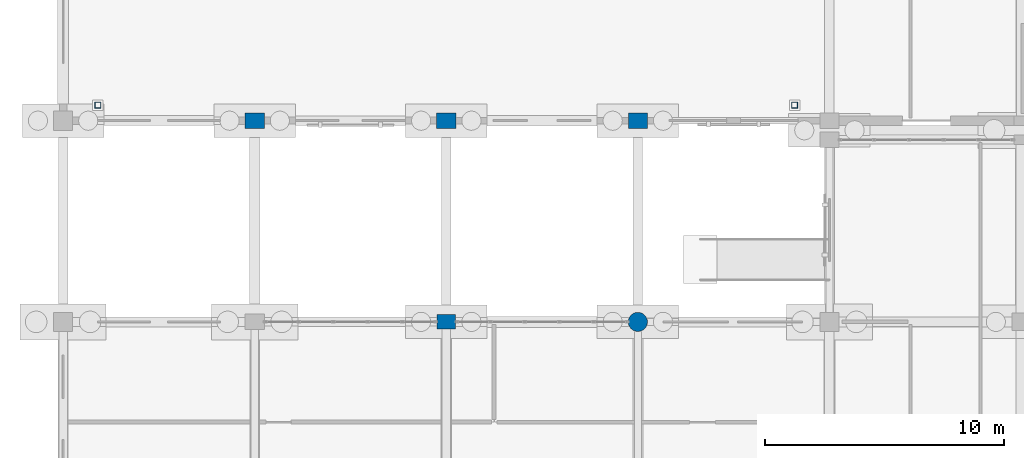
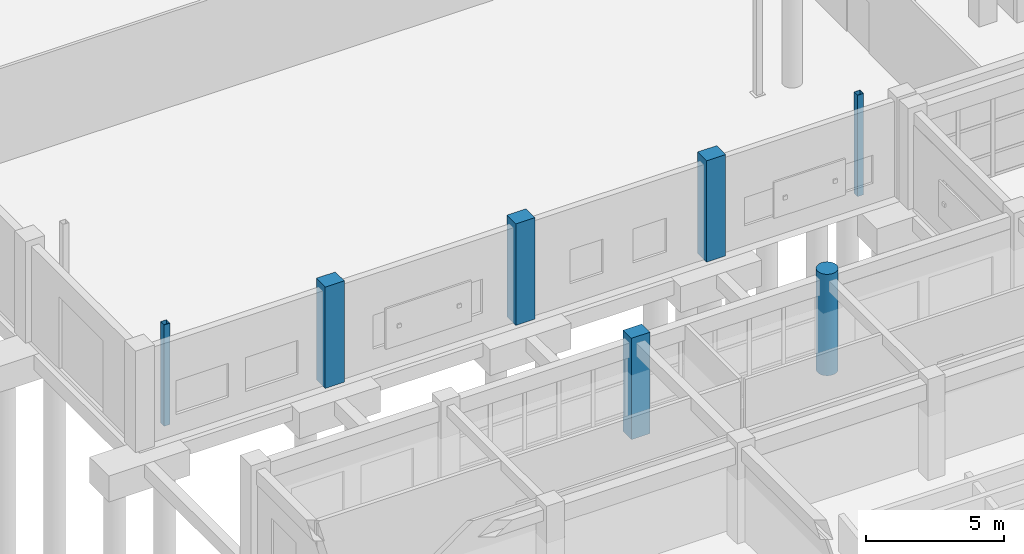
# One storey, part 16 of 166: 7 columns.
"""IFC4 building model written with IfcOpenShell, lengths in metres."""

import ifcopenshell
import ifcopenshell.guid

model = None  # the IFC model being written
_history = None  # IfcOwnerHistory: only IFC2X3 demands one
_inside = {}  # id of a spatial element -> (the spatial element, [elements in it])
_under = {}  # id of a project, library or spatial element -> (it, [spatial elements below it])
_declared = {}  # id of a project -> (the project, [libraries it declares])
_typed = {}  # id of a type object -> (the type object, [elements of that type])
_made_of = {}  # id of a material, layer set ... -> (it, [elements and type objects made of it])


def new_model(schema):
    """Start an empty IFC model of exactly this schema.

    Asked for "IFC4X3", IfcOpenShell would pick the latest addendum, in which some entities
    have other attributes; the version numbers below select the first issue.
    IFC2X3 requires an IfcOwnerHistory on every rooted entity: one is made here for all.
    """
    global model, _history
    if schema == "IFC4X3":
        model = ifcopenshell.file(schema_version=(4, 3, 0, 0))
    else:
        model = ifcopenshell.file(schema=schema)
    _inside.clear()
    _under.clear()
    _declared.clear()
    _typed.clear()
    _made_of.clear()
    _history = None
    if model.schema == "IFC2X3":
        org = make("IfcOrganization", Name="unknown")
        user = make(
            "IfcPersonAndOrganization",
            ThePerson=make("IfcPerson", FamilyName="unknown"),
            TheOrganization=org,
        )
        app = make(
            "IfcApplication",
            ApplicationDeveloper=org,
            Version="unknown",
            ApplicationFullName="unknown",
            ApplicationIdentifier="unknown",
        )
        _history = make(
            "IfcOwnerHistory",
            OwningUser=user,
            OwningApplication=app,
            ChangeAction="ADDED",
            CreationDate=0,
        )
    return model


def make(cls, **values):
    """One entity of the class cls with the attributes given. An attribute that is None is left unset."""
    return model.create_entity(
        cls, **{name: value for name, value in values.items() if value is not None}
    )


def rooted(cls, **values):
    """An entity with a GlobalId (a new one), such as an element, a storey or a relation."""
    return make(cls, GlobalId=ifcopenshell.guid.new(), OwnerHistory=_history, **values)


def si_unit(unit_type, name, prefix=None):
    """IfcSIUnit, for example si_unit("LENGTHUNIT", "METRE", prefix="MILLI")."""
    return make("IfcSIUnit", UnitType=unit_type, Prefix=prefix, Name=name)


def assignment(units):
    """IfcUnitAssignment: the units of a project."""
    return None if units is None else make("IfcUnitAssignment", Units=units)


def point(xyz):
    """IfcCartesianPoint."""
    return None if xyz is None else make("IfcCartesianPoint", Coordinates=xyz)


def direction(xyz):
    """IfcDirection."""
    return None if xyz is None else make("IfcDirection", DirectionRatios=xyz)


def frame(location, z_axis=None, x_axis=None):
    """IfcAxis2Placement3D, a coordinate frame: its origin and axes. An axis left out is left unset."""
    return make(
        "IfcAxis2Placement3D",
        Location=point(location),
        Axis=direction(z_axis),
        RefDirection=direction(x_axis),
    )


def frame_2d(location, x_axis=None):
    """IfcAxis2Placement2D, a coordinate frame in the plane: its origin and x axis."""
    return make(
        "IfcAxis2Placement2D", Location=point(location), RefDirection=direction(x_axis)
    )


def origin():
    """The frame at (0, 0, 0) with its axes left unset."""
    return frame((0.0, 0.0, 0.0))


def origin_2d():
    """The frame at (0, 0) in the plane with its x axis left unset."""
    return frame_2d((0.0, 0.0))


def place(relative_to, where):
    """IfcLocalPlacement: puts the frame where relative to a parent placement (None: the world)."""
    return make(
        "IfcLocalPlacement", PlacementRelTo=relative_to, RelativePlacement=where
    )


def context(
    kind, dimensions, precision=None, world=None, true_north=None, identifier=None
):
    """IfcGeometricRepresentationContext, for example the 3D "Model" context."""
    return make(
        "IfcGeometricRepresentationContext",
        ContextIdentifier=identifier,
        ContextType=kind,
        CoordinateSpaceDimension=dimensions,
        Precision=precision,
        WorldCoordinateSystem=world,
        TrueNorth=true_north,
    )


def subcontext(parent, identifier, kind, view, scale=None):
    """IfcGeometricRepresentationSubContext, for example "Body" below "Model"."""
    return make(
        "IfcGeometricRepresentationSubContext",
        ContextIdentifier=identifier,
        ContextType=kind,
        ParentContext=parent,
        TargetScale=scale,
        TargetView=view,
    )


def project(units=None, contexts=None):
    """IfcProject with its units and contexts."""
    return rooted(
        "IfcProject",
        Name="project",
        RepresentationContexts=contexts,
        UnitsInContext=assignment(units),
    )


def spatial(cls, under=None, at=None, **own):
    """A site, building, storey or space (cls), placed at a placement, below another one or the project."""
    s = rooted(cls, ObjectPlacement=at, **own)
    if under is not None:
        _under.setdefault(under.id(), (under, []))[1].append(s)
    return s


def profile(cls, at=None, kind="AREA", **sizes):
    """A parametric profile (cls). Its sizes go by their IFC names, for example OverallWidth=200.0."""
    return make(cls, ProfileType=kind, Position=at, **sizes)


def rectangle(**sizes):
    """IfcRectangleProfileDef."""
    return profile("IfcRectangleProfileDef", **sizes)


def hollow_rectangle(**sizes):
    """IfcRectangleHollowProfileDef."""
    return profile("IfcRectangleHollowProfileDef", **sizes)


def circle(**sizes):
    """IfcCircleProfileDef."""
    return profile("IfcCircleProfileDef", **sizes)


def extrude(swept, where, along, depth):
    """IfcExtrudedAreaSolid: the profile swept, set in the frame where, extruded along a direction by depth."""
    return make(
        "IfcExtrudedAreaSolid",
        SweptArea=swept,
        Position=where,
        ExtrudedDirection=direction(along),
        Depth=depth,
    )


def shape(context_of_items, identifier, shape_type, items):
    """IfcShapeRepresentation: the items that make up one representation, for example the "Body"."""
    return make(
        "IfcShapeRepresentation",
        ContextOfItems=context_of_items,
        RepresentationIdentifier=identifier,
        RepresentationType=shape_type,
        Items=items,
    )


def material(Name=None, Category=None):
    """IfcMaterial."""
    return make("IfcMaterial", Name=Name, Category=Category)


def material_profile(
    of_material, cross_section, Name=None, Category=None, Priority=None
):
    """IfcMaterialProfile: a cross section and its material."""
    return make(
        "IfcMaterialProfile",
        Name=Name,
        Material=of_material,
        Profile=cross_section,
        Priority=Priority,
        Category=Category,
    )


def profile_set(profiles, Name=None, composite=None):
    """IfcMaterialProfileSet."""
    return make(
        "IfcMaterialProfileSet",
        Name=Name,
        MaterialProfiles=profiles,
        CompositeProfile=composite,
    )


def made_of(thing, what):
    """Note that an element or type object is made of a material, layer set ...; save() writes the relation."""
    if what is not None:
        _made_of.setdefault(what.id(), (what, []))[1].append(thing)
    return thing


def type_object(cls, material=None, **own):
    """A type object (cls), such as IfcWallType, which elements share."""
    return made_of(rooted(cls, **own), material)


def element(
    cls,
    number,
    at=None,
    inside=None,
    cuts=None,
    type_object=None,
    material=None,
    context=None,
    identifier="Body",
    shape_type=None,
    held_by="IfcProductDefinitionShape",
    body=None,
    shapes=None,
    **own,
):
    """One element of the class cls, such as IfcWall. Its Tag is "e" and its number.

    at: its placement. inside: the storey or other place that contains it. cuts: it is an
    opening in that element (IfcRelVoidsElement). A single representation is given by context,
    identifier, shape_type and body (its items); several are given by shapes. held_by: the class
    of the entity that holds the representations. save() writes the other relations.
    """
    e = rooted(cls, Tag="e%d" % number, ObjectPlacement=at, **own)
    if body is not None:
        shapes = [shape(context, identifier, shape_type, body)]
    if shapes is not None:
        e.Representation = make(held_by, Representations=shapes)
    if inside is not None:
        _inside.setdefault(inside.id(), (inside, []))[1].append(e)
    if cuts is not None:
        rooted(
            "IfcRelVoidsElement", RelatingBuildingElement=cuts, RelatedOpeningElement=e
        )
    if type_object is not None:
        _typed.setdefault(type_object.id(), (type_object, []))[1].append(e)
    return made_of(e, material)


def aggregate(whole, parts):
    """IfcRelAggregates: a whole, such as a stair, and the parts it consists of."""
    return rooted("IfcRelAggregates", RelatingObject=whole, RelatedObjects=parts)


def save(model, path):
    """Write the relations noted so far, then the file.

    IfcRelAggregates (storeys below a building ...), IfcRelContainedInSpatialStructure (elements
    in a storey), IfcRelDefinesByType, IfcRelAssociatesMaterial and IfcRelDeclares: one each for
    every whole, place, type object, material and project.
    """
    for whole, parts in _under.values():
        aggregate(whole, parts)
    for where, things in _inside.values():
        rooted(
            "IfcRelContainedInSpatialStructure",
            RelatedElements=things,
            RelatingStructure=where,
        )
    for kind, things in _typed.values():
        rooted("IfcRelDefinesByType", RelatedObjects=things, RelatingType=kind)
    for what, things in _made_of.values():
        rooted("IfcRelAssociatesMaterial", RelatedObjects=things, RelatingMaterial=what)
    for by, libraries in _declared.values():
        rooted("IfcRelDeclares", RelatingContext=by, RelatedDefinitions=libraries)
    model.write(path)


model = new_model("IFC4")

# Units and contexts
model_context = context("Model", 3, precision=1e-05, world=origin(), true_north=direction((0.0, 1.0)))
body_context = subcontext(model_context, "Body", "Model", "MODEL_VIEW")
ifc_project = project(units=[si_unit("LENGTHUNIT", "METRE"), si_unit("AREAUNIT", "SQUARE_METRE"), si_unit("VOLUMEUNIT", "CUBIC_METRE"), si_unit("PLANEANGLEUNIT", "RADIAN"), si_unit("MASSUNIT", "GRAM", prefix="KILO")], contexts=[model_context])

# Site, building, storey
site_placement = place(None, origin())
site = spatial("IfcSite", under=ifc_project, at=site_placement, CompositionType="ELEMENT")
building_placement = place(site_placement, origin())
building = spatial("IfcBuilding", under=site, at=building_placement, Name="Kharva Crest Polytechnic", CompositionType="ELEMENT")
storey_placement = place(building_placement, origin())
storey = spatial("IfcBuildingStorey", under=building, at=storey_placement, Name="L00", CompositionType="ELEMENT", Elevation=0.0)

# Columns
ifc_material_1 = material(Name="Concrete C40/50", Category="concrete")
ifc_material_profile_1 = material_profile(ifc_material_1, rectangle(XDim=0.780029296875, YDim=0.60009765625, at=origin_2d()), Name="RECT 780 X 600")
ifc_profile_set_1 = profile_set([ifc_material_profile_1], Name="Concrete C40/50")
column_type_1 = type_object("IfcColumnType", Name="COL-EXT-780X600", PredefinedType="COLUMN", material=ifc_profile_set_1)
column_1_placement = place(storey_placement, frame((16.0, 30.39990234375, 0.0), z_axis=(0.0, 0.0, 1.0), x_axis=(1.0, 0.0, 0.0)))
element("IfcColumn", 1, at=column_1_placement, inside=storey, type_object=column_type_1, Name="L00 Column 3/E", PredefinedType="COLUMN", context=body_context, shape_type="SweptSolid", body=[
    extrude(rectangle(XDim=0.780029296875, YDim=0.60009765625, at=origin_2d()), origin(), (0.0, 0.0, 1.0), 4.5),
])
ifc_material_profile_2 = material_profile(ifc_material_1, rectangle(XDim=0.800048828125, YDim=0.64990234375, at=origin_2d()), Name="RECT 800 X 650")
ifc_profile_set_2 = profile_set([ifc_material_profile_2], Name="Concrete C40/50")
column_type_2 = type_object("IfcColumnType", Name="COL-EXT-800X650", PredefinedType="COLUMN", material=ifc_profile_set_2)
for number, where, z_axis, x_axis, name in (
    (2, (8.0, 38.800048828125, 0.0), (0.0, 0.0, 1.0), (1.0, 0.0, 0.0), "L00 Column 2/FJ"),
    (3, (16.0, 38.800048828125, 0.0), (0.0, 0.0, 1.0), (1.0, 0.0, 0.0), "L00 Column 3/FJ"),
    (4, (24.0, 38.800048828125, 0.0), (0.0, 0.0, 1.0), (1.0, 0.0, 0.0), "L00 Column 4/FJ"),
):
    element("IfcColumn", number, at=place(storey_placement, frame(where, z_axis=z_axis, x_axis=x_axis)), inside=storey, type_object=column_type_2, Name=name, PredefinedType="COLUMN", context=body_context, shape_type="SweptSolid", body=[
        extrude(rectangle(XDim=0.800048828125, YDim=0.64990234375, at=origin_2d()), origin(), (0.0, 0.0, 1.0), 4.5),
    ])
ifc_material_profile_3 = material_profile(ifc_material_1, circle(Radius=0.39990234375, at=origin_2d()), Name="DIA 800")
ifc_profile_set_3 = profile_set([ifc_material_profile_3], Name="Concrete C40/50")
column_type_3 = type_object("IfcColumnType", Name="COL-EXT-DIA800", PredefinedType="COLUMN", material=ifc_profile_set_3)
column_2_placement = place(storey_placement, frame((24.0, 30.39990234375, 0.0), z_axis=(0.0, 0.0, 1.0), x_axis=(1.0, 0.0, 0.0)))
element("IfcColumn", 5, at=column_2_placement, inside=storey, type_object=column_type_3, Name="L00 Column 4/E", PredefinedType="COLUMN", context=body_context, shape_type="SweptSolid", body=[
    extrude(circle(Radius=0.39990234375, at=origin_2d()), origin(), (0.0, 0.0, 1.0), 4.5),
])
ifc_material_2 = material(Name="Steel S355", Category="steel")
ifc_material_profile_4 = material_profile(ifc_material_2, hollow_rectangle(XDim=0.25, YDim=0.25, WallThickness=0.010009765625, at=origin_2d()), Name="RHS 250X250X10.0")
ifc_profile_set_4 = profile_set([ifc_material_profile_4], Name="Steel S355")
column_type_4 = type_object("IfcColumnType", Name="COL-STL-RHS250", PredefinedType="COLUMN", material=ifc_profile_set_4)
for number, where, z_axis, x_axis, name in (
    (6, (1.449951171875, 39.449951171875, 0.0), (0.0, 0.0, 1.0), (1.0, 0.0, 0.0), "L00 Crane Column W1"),
    (7, (30.550048828125, 39.449951171875, 0.0), (0.0, 0.0, 1.0), (1.0, 0.0, 0.0), "L00 Crane Column E1"),
):
    element("IfcColumn", number, at=place(storey_placement, frame(where, z_axis=z_axis, x_axis=x_axis)), inside=storey, type_object=column_type_4, Name=name, PredefinedType="COLUMN", context=body_context, shape_type="SweptSolid", body=[
        extrude(hollow_rectangle(XDim=0.25, YDim=0.25, WallThickness=0.010009765625, at=origin_2d()), origin(), (0.0, 0.0, 1.0), 4.5),
    ])

save(model, "model.ifc")
